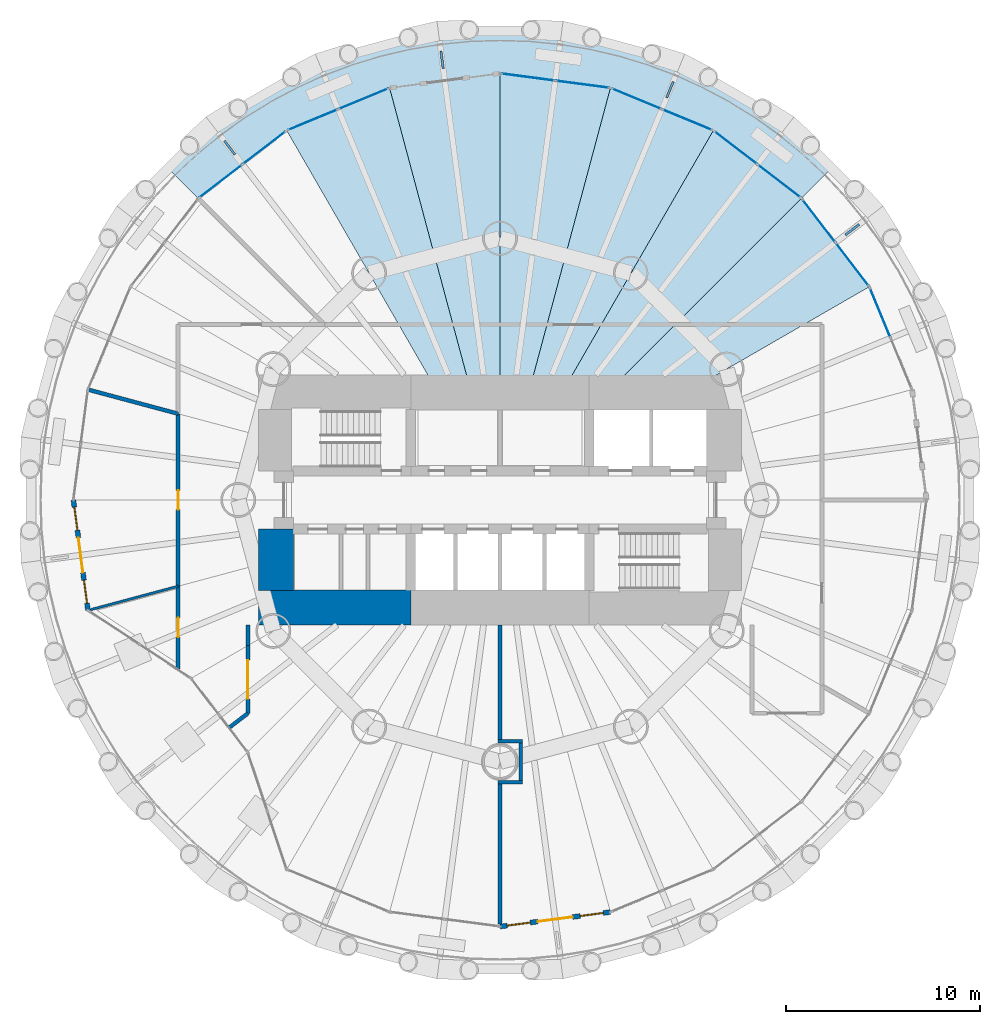
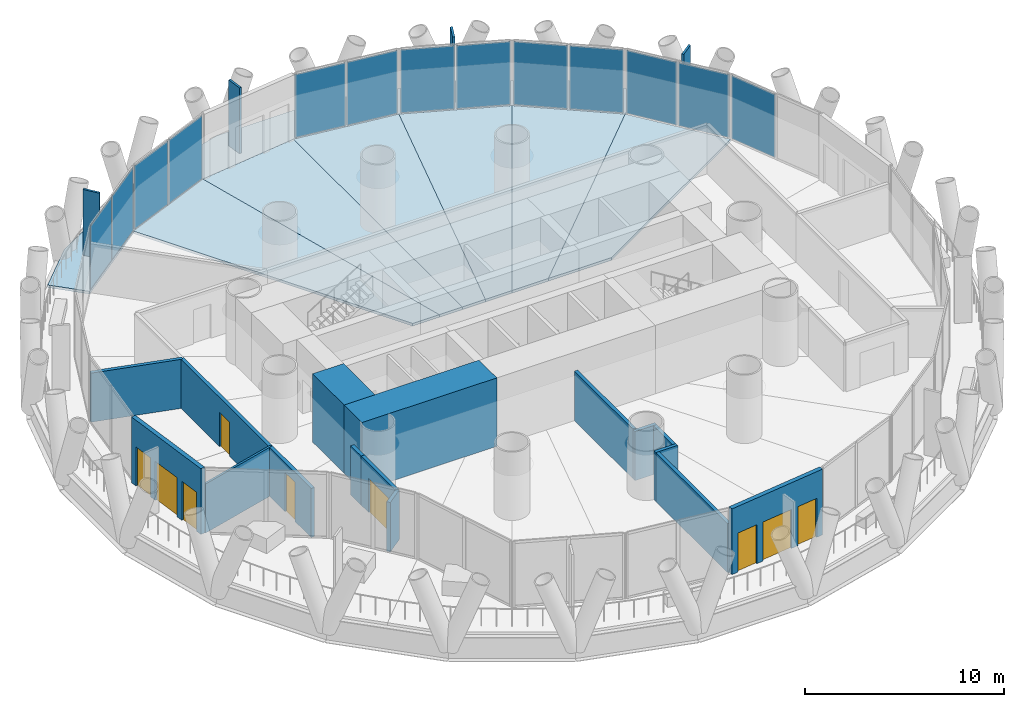
# One storey, part 8 of 14: 17 plates, 16 walls, 7 slabs, 5 doors, 4 windows, 9 openings, 7 elements without a shape of their own.
"""IFC4 building model written with IfcOpenShell, lengths in metres."""

from ifc_helpers import new_model, si_unit, direction, frame, frame_2d, origin, origin_2d, place, context, subcontext, project, spatial, polyline, rectangle, outline, extrude, material, layer, layer_set, type_object, element, fill, aggregate, save


model = new_model("IFC4")

# Units and contexts
model_context = context("Model", 3, precision=1e-05, world=origin(), true_north=direction((0.0, 1.0)))
body_context = subcontext(model_context, "Body", "Model", "MODEL_VIEW")
ifc_project = project(units=[si_unit("LENGTHUNIT", "METRE"), si_unit("AREAUNIT", "SQUARE_METRE"), si_unit("VOLUMEUNIT", "CUBIC_METRE"), si_unit("PLANEANGLEUNIT", "RADIAN"), si_unit("MASSUNIT", "GRAM", prefix="KILO")], contexts=[model_context])

# Site, building, storey
site_placement = place(None, origin())
site = spatial("IfcSite", under=ifc_project, at=site_placement, CompositionType="ELEMENT")
building_placement = place(site_placement, origin())
building = spatial("IfcBuilding", under=site, at=building_placement, Name="Qaws Media Tower", CompositionType="ELEMENT")
storey_placement = place(building_placement, frame((0.0, 0.0, 185.60009765625)))
storey = spatial("IfcBuildingStorey", under=building, at=storey_placement, Name="L42", CompositionType="ELEMENT", Elevation=185.60009765625)

# Slabs
ifc_material_1 = material(Name="Concrete C35/45", Category="concrete")
ifc_layer_1 = layer(ifc_material_1, 0.159912109375)
ifc_layer_set_1 = layer_set([ifc_layer_1], Name="Composite balcony slab 160")
slab_type_1 = type_object("IfcSlabType", Name="Composite balcony slab 160", PredefinedType="FLOOR", material=ifc_layer_set_1)
slab_1_placement = place(storey_placement, frame((0.0, 0.0, -0.16015625)))
element("IfcSlab", 1, at=slab_1_placement, inside=storey, type_object=slab_type_1, Name="S2 balcony slab L42 R04 to R10, movement joints on R04 and R10", PredefinedType="FLOOR", context=body_context, shape_type="SweptSolid", body=[
    extrude(outline(polyline([(45.146240234375, 69.35791015625), (50.66259765625, 72.542724609375), (56.815185546875, 74.19140625), (63.184814453125, 74.19140625), (69.33740234375, 72.542724609375), (74.853759765625, 69.35791015625), (77.105712890625, 67.105712890625), (75.556396484375, 65.556396484375), (71.0, 69.052490234375), (65.694091796875, 71.25048828125), (60.0, 72.0), (54.305908203125, 71.25048828125), (49.0, 69.052490234375), (44.443603515625, 65.556396484375), (42.894287109375, 67.105712890625), (45.146240234375, 69.35791015625)])), origin(), (0.0, 0.0, 1.0), 0.16015625),
])
ifc_material_2 = material(Name="Concrete C35/45", Category="concrete")
ifc_layer_2 = layer(ifc_material_2, 0.159912109375)
ifc_layer_set_2 = layer_set([ifc_layer_2], Name="Composite floor slab 160")
slab_type_2 = type_object("IfcSlabType", Name="Composite floor slab 160", PredefinedType="FLOOR", material=ifc_layer_set_2)
slab_2_placement = place(storey_placement, frame((0.0, 0.0, -0.16015625)))
element("IfcSlab", 2, at=slab_2_placement, inside=storey, type_object=slab_type_2, Name="S1 floor panel L42 on R03+7.5", PredefinedType="FLOOR", context=body_context, shape_type="SweptSolid", body=[
    extrude(outline(polyline([(79.052490234375, 61.0), (68.660400390625, 55.0), (65.0, 55.0), (75.556396484375, 65.556396484375), (79.052490234375, 61.0)])), origin(), (0.0, 0.0, 1.0), 0.16015625),
])
slab_3_placement = place(storey_placement, frame((0.0, 0.0, -0.16015625)))
element("IfcSlab", 3, at=slab_3_placement, inside=storey, type_object=slab_type_2, Name="S1 floor panel L42 on R04+7.5", PredefinedType="FLOOR", context=body_context, shape_type="SweptSolid", body=[
    extrude(outline(polyline([(75.556396484375, 65.556396484375), (65.0, 55.0), (62.88671875, 55.0), (71.0, 69.052490234375), (75.556396484375, 65.556396484375)])), origin(), (0.0, 0.0, 1.0), 0.16015625),
])
slab_4_placement = place(storey_placement, frame((0.0, 0.0, -0.16015625)))
element("IfcSlab", 4, at=slab_4_placement, inside=storey, type_object=slab_type_2, Name="S1 floor panel L42 on R05+7.5", PredefinedType="FLOOR", context=body_context, shape_type="SweptSolid", body=[
    extrude(outline(polyline([(71.0, 69.052490234375), (62.88671875, 55.0), (61.339599609375, 55.0), (65.694091796875, 71.25048828125), (71.0, 69.052490234375)])), origin(), (0.0, 0.0, 1.0), 0.16015625),
])
slab_5_placement = place(storey_placement, frame((0.0, 0.0, -0.16015625)))
element("IfcSlab", 5, at=slab_5_placement, inside=storey, type_object=slab_type_2, Name="S1 floor panel L42 on R06+7.5", PredefinedType="FLOOR", context=body_context, shape_type="SweptSolid", body=[
    extrude(outline(polyline([(65.694091796875, 71.25048828125), (61.339599609375, 55.0), (60.0, 55.0), (60.0, 72.0), (65.694091796875, 71.25048828125)])), origin(), (0.0, 0.0, 1.0), 0.16015625),
])
slab_6_placement = place(storey_placement, frame((0.0, 0.0, -0.16015625)))
element("IfcSlab", 6, at=slab_6_placement, inside=storey, type_object=slab_type_2, Name="S1 floor panel L42 on R07+7.5", PredefinedType="FLOOR", context=body_context, shape_type="SweptSolid", body=[
    extrude(outline(polyline([(54.305908203125, 71.25048828125), (60.0, 72.0), (60.0, 55.0), (58.660400390625, 55.0), (54.305908203125, 71.25048828125)])), origin(), (0.0, 0.0, 1.0), 0.16015625),
])
slab_7_placement = place(storey_placement, frame((0.0, 0.0, -0.16015625)))
element("IfcSlab", 7, at=slab_7_placement, inside=storey, type_object=slab_type_2, Name="S1 floor panel L42 on R08+7.5", PredefinedType="FLOOR", context=body_context, shape_type="SweptSolid", body=[
    extrude(outline(polyline([(49.0, 69.052490234375), (54.305908203125, 71.25048828125), (58.660400390625, 55.0), (57.11328125, 55.0), (49.0, 69.052490234375)])), origin(), (0.0, 0.0, 1.0), 0.16015625),
])

# Curtain wall, plate
ifc_material_3 = material(Name="Aluminium and clear glass", Category="aluminium")
curtain_wall_type = type_object("IfcCurtainWallType", Name="Unitised curtain wall CW-B", PredefinedType="NOTDEFINED", material=ifc_material_3)
curtain_wall_1_placement = place(storey_placement, origin())
curtain_wall_1 = element("IfcCurtainWall", 8, at=curtain_wall_1_placement, inside=storey, type_object=curtain_wall_type, Name="CWB curtain wall L42-02", PredefinedType="NOTDEFINED")
ifc_material_4 = material(Name="Clear laminated double glazing", Category="glass")
ifc_layer_3 = layer(ifc_material_4, 0.031982421875)
ifc_layer_set_3 = layer_set([ifc_layer_3], Name="Curtain wall glass unit 32")
plate_type_1 = type_object("IfcPlateType", Name="Curtain wall glass unit 32", PredefinedType="CURTAIN_PANEL", material=ifc_layer_set_3)
plate_1_placement = place(storey_placement, frame((79.609619140625, 59.655029296875, 0.080078125), z_axis=(0.0, 0.0, 1.0), x_axis=(-0.38268338899, 0.923879550478, 0.0)))
plate_1 = element("IfcPlate", 9, at=plate_1_placement, type_object=plate_type_1, Name="CWB panel 2.1", PredefinedType="CURTAIN_PANEL", context=body_context, shape_type="SweptSolid", body=[
    extrude(rectangle(XDim=2.75146484375, YDim=0.031982421875, at=origin_2d()), origin(), (0.0, 0.0, 1.0), 3.8798828125),
])
aggregate(curtain_wall_1, [plate_1])

# Curtain wall, plates
curtain_wall_2_placement = place(storey_placement, origin())
curtain_wall_2 = element("IfcCurtainWall", 10, at=curtain_wall_2_placement, inside=storey, type_object=curtain_wall_type, Name="CWB curtain wall L42-03", PredefinedType="NOTDEFINED")
plate_2_placement = place(storey_placement, frame((78.166259765625, 62.155029296875, 0.080078125), z_axis=(0.0, 0.0, 1.0), x_axis=(-0.608761477846, 0.793353302817, 0.0)))
plate_2 = element("IfcPlate", 11, at=plate_2_placement, type_object=plate_type_1, Name="CWB panel 1.1", PredefinedType="CURTAIN_PANEL", context=body_context, shape_type="SweptSolid", body=[
    extrude(rectangle(XDim=2.75146484375, YDim=0.031982421875, at=origin_2d()), origin(), (0.0, 0.0, 1.0), 3.8798828125),
])
plate_3_placement = place(storey_placement, frame((76.442626953125, 64.4013671875, 0.080078125), z_axis=(0.0, 0.0, 1.0), x_axis=(-0.608761477846, 0.793353302817, 0.0)))
plate_3 = element("IfcPlate", 12, at=plate_3_placement, type_object=plate_type_1, Name="CWB panel 2.1", PredefinedType="CURTAIN_PANEL", context=body_context, shape_type="SweptSolid", body=[
    extrude(rectangle(XDim=2.75146484375, YDim=0.031982421875, at=origin_2d()), origin(), (0.0, 0.0, 1.0), 3.8798828125),
])
aggregate(curtain_wall_2, [plate_2, plate_3])

curtain_wall_3_placement = place(storey_placement, origin())
curtain_wall_3 = element("IfcCurtainWall", 13, at=curtain_wall_3_placement, inside=storey, type_object=curtain_wall_type, Name="CWB curtain wall L42-04", PredefinedType="NOTDEFINED")
plate_4_placement = place(storey_placement, frame((74.4013671875, 66.442626953125, 0.080078125), z_axis=(0.0, 0.0, 1.0), x_axis=(-0.793353302817, 0.608761477846, 0.0)))
plate_4 = element("IfcPlate", 14, at=plate_4_placement, type_object=plate_type_1, Name="CWB panel 1.1", PredefinedType="CURTAIN_PANEL", context=body_context, shape_type="SweptSolid", body=[
    extrude(rectangle(XDim=2.75146484375, YDim=0.031982421875, at=origin_2d()), origin(), (0.0, 0.0, 1.0), 3.8798828125),
])
plate_5_placement = place(storey_placement, frame((72.155029296875, 68.166259765625, 0.080078125), z_axis=(0.0, 0.0, 1.0), x_axis=(-0.793353302817, 0.608761477846, 0.0)))
plate_5 = element("IfcPlate", 15, at=plate_5_placement, type_object=plate_type_1, Name="CWB panel 2.1", PredefinedType="CURTAIN_PANEL", context=body_context, shape_type="SweptSolid", body=[
    extrude(rectangle(XDim=2.75146484375, YDim=0.031982421875, at=origin_2d()), origin(), (0.0, 0.0, 1.0), 3.8798828125),
])
aggregate(curtain_wall_3, [plate_4, plate_5])

curtain_wall_4_placement = place(storey_placement, origin())
curtain_wall_4 = element("IfcCurtainWall", 16, at=curtain_wall_4_placement, inside=storey, type_object=curtain_wall_type, Name="CWB curtain wall L42-05", PredefinedType="NOTDEFINED")
plate_6_placement = place(storey_placement, frame((69.655029296875, 69.609619140625, 0.080078125), z_axis=(0.0, 0.0, 1.0), x_axis=(-0.923879550478, 0.38268338899, 0.0)))
plate_6 = element("IfcPlate", 17, at=plate_6_placement, type_object=plate_type_1, Name="CWB panel 1.1", PredefinedType="CURTAIN_PANEL", context=body_context, shape_type="SweptSolid", body=[
    extrude(rectangle(XDim=2.75146484375, YDim=0.031982421875, at=origin_2d()), origin(), (0.0, 0.0, 1.0), 3.8798828125),
])
plate_7_placement = place(storey_placement, frame((67.0390625, 70.693359375, 0.080078125), z_axis=(0.0, 0.0, 1.0), x_axis=(-0.923879550478, 0.38268338899, 0.0)))
plate_7 = element("IfcPlate", 18, at=plate_7_placement, type_object=plate_type_1, Name="CWB panel 2.1", PredefinedType="CURTAIN_PANEL", context=body_context, shape_type="SweptSolid", body=[
    extrude(rectangle(XDim=2.75146484375, YDim=0.031982421875, at=origin_2d()), origin(), (0.0, 0.0, 1.0), 3.8798828125),
])
aggregate(curtain_wall_4, [plate_6, plate_7])

curtain_wall_5_placement = place(storey_placement, origin())
curtain_wall_5 = element("IfcCurtainWall", 19, at=curtain_wall_5_placement, inside=storey, type_object=curtain_wall_type, Name="CWB curtain wall L42-06", PredefinedType="NOTDEFINED")
plate_8_placement = place(storey_placement, frame((64.250732421875, 71.4404296875, 0.080078125), z_axis=(0.0, 0.0, 1.0), x_axis=(-0.991444857378, 0.130526222571, 0.0)))
plate_8 = element("IfcPlate", 20, at=plate_8_placement, type_object=plate_type_1, Name="CWB panel 1.1", PredefinedType="CURTAIN_PANEL", context=body_context, shape_type="SweptSolid", body=[
    extrude(rectangle(XDim=2.75146484375, YDim=0.031982421875, at=origin_2d()), origin(), (0.0, 0.0, 1.0), 3.8798828125),
])
plate_9_placement = place(storey_placement, frame((61.443359375, 71.81005859375, 0.080078125), z_axis=(0.0, 0.0, 1.0), x_axis=(-0.991444857378, 0.130526222571, 0.0)))
plate_9 = element("IfcPlate", 21, at=plate_9_placement, type_object=plate_type_1, Name="CWB panel 2.1", PredefinedType="CURTAIN_PANEL", context=body_context, shape_type="SweptSolid", body=[
    extrude(rectangle(XDim=2.75146484375, YDim=0.031982421875, at=origin_2d()), origin(), (0.0, 0.0, 1.0), 3.8798828125),
])
aggregate(curtain_wall_5, [plate_8, plate_9])

curtain_wall_6_placement = place(storey_placement, origin())
curtain_wall_6 = element("IfcCurtainWall", 22, at=curtain_wall_6_placement, inside=storey, type_object=curtain_wall_type, Name="CWB curtain wall L42-08", PredefinedType="NOTDEFINED")
plate_10_placement = place(storey_placement, frame((52.9609375, 70.693359375, 0.080078125), z_axis=(0.0, 0.0, 1.0), x_axis=(-0.923879550478, -0.38268338899, 0.0)))
plate_10 = element("IfcPlate", 23, at=plate_10_placement, type_object=plate_type_1, Name="CWB panel 1.1", PredefinedType="CURTAIN_PANEL", context=body_context, shape_type="SweptSolid", body=[
    extrude(rectangle(XDim=2.75146484375, YDim=0.031982421875, at=origin_2d()), origin(), (0.0, 0.0, 1.0), 3.8798828125),
])
plate_11_placement = place(storey_placement, frame((50.344970703125, 69.609619140625, 0.080078125), z_axis=(0.0, 0.0, 1.0), x_axis=(-0.923879550478, -0.38268338899, 0.0)))
plate_11 = element("IfcPlate", 24, at=plate_11_placement, type_object=plate_type_1, Name="CWB panel 2.1", PredefinedType="CURTAIN_PANEL", context=body_context, shape_type="SweptSolid", body=[
    extrude(rectangle(XDim=2.75146484375, YDim=0.031982421875, at=origin_2d()), origin(), (0.0, 0.0, 1.0), 3.8798828125),
])
aggregate(curtain_wall_6, [plate_10, plate_11])

curtain_wall_7_placement = place(storey_placement, origin())
curtain_wall_7 = element("IfcCurtainWall", 25, at=curtain_wall_7_placement, inside=storey, type_object=curtain_wall_type, Name="CWB curtain wall L42-09", PredefinedType="NOTDEFINED")
plate_12_placement = place(storey_placement, frame((47.844970703125, 68.166259765625, 0.080078125), z_axis=(0.0, 0.0, 1.0), x_axis=(-0.793353302817, -0.608761477846, 0.0)))
plate_12 = element("IfcPlate", 26, at=plate_12_placement, type_object=plate_type_1, Name="CWB panel 1.1", PredefinedType="CURTAIN_PANEL", context=body_context, shape_type="SweptSolid", body=[
    extrude(rectangle(XDim=2.75146484375, YDim=0.031982421875, at=origin_2d()), origin(), (0.0, 0.0, 1.0), 3.8798828125),
])
plate_13_placement = place(storey_placement, frame((45.5986328125, 66.442626953125, 0.080078125), z_axis=(0.0, 0.0, 1.0), x_axis=(-0.793353302817, -0.608761477846, 0.0)))
plate_13 = element("IfcPlate", 27, at=plate_13_placement, type_object=plate_type_1, Name="CWB panel 2.1", PredefinedType="CURTAIN_PANEL", context=body_context, shape_type="SweptSolid", body=[
    extrude(rectangle(XDim=2.75146484375, YDim=0.031982421875, at=origin_2d()), origin(), (0.0, 0.0, 1.0), 3.8798828125),
])
aggregate(curtain_wall_7, [plate_12, plate_13])

# Plates
ifc_material_5 = material(Name="Precast concrete screen fin", Category="concrete")
ifc_layer_4 = layer(ifc_material_5, 0.1201171875)
ifc_layer_set_4 = layer_set([ifc_layer_4], Name="Screen fin 120x900")
plate_type_2 = type_object("IfcPlateType", Name="Screen fin 120x900", PredefinedType="USERDEFINED", material=ifc_layer_set_4)
for number, where, z_axis, x_axis, name in (
    (28, (78.167724609375, 63.940673828125, 0.0), (0.0, 0.0, 1.0), (0.793353340291, 0.608761429009, 0.0), "SCR1 screen fin L42-02"),
    (29, (68.763427734375, 71.15673828125, 0.0), (0.0, 0.0, 1.0), (0.382683432365, 0.923879532511, 0.0), "SCR1 screen fin L42-03"),
    (30, (57.010986328125, 72.7041015625, 0.0), (0.0, 0.0, 1.0), (-0.13052619222, 0.991444861374, 0.0), "SCR1 screen fin L42-04"),
    (31, (46.059326171875, 68.167724609375, 0.0), (0.0, 0.0, 1.0), (-0.608761429009, 0.793353340291, 0.0), "SCR1 screen fin L42-05"),
):
    element("IfcPlate", number, at=place(storey_placement, frame(where, z_axis=z_axis, x_axis=x_axis)), inside=storey, type_object=plate_type_2, Name=name, ObjectType="SCREEN", PredefinedType="USERDEFINED", context=body_context, shape_type="SweptSolid", body=[
        extrude(rectangle(XDim=0.89990234375, YDim=0.1201171875, at=origin_2d()), origin(), (0.0, 0.0, 1.0), 4.0400390625),
    ])

# Wall, openings, door, windows
ifc_material_6 = material(Name="Precast concrete, exposed finish", Category="concrete")
ifc_layer_5 = layer(ifc_material_6, 0.25)
ifc_layer_set_5 = layer_set([ifc_layer_5], Name="Balcony door wall 250")
wall_type_1 = type_object("IfcWallType", Name="Balcony door wall 250", PredefinedType="SOLIDWALL", material=ifc_layer_set_5)
wall_1_placement = place(storey_placement, frame((38.0, 50.0, 0.0), z_axis=(0.0, 0.0, 1.0), x_axis=(0.130503995834, -0.991447783331, 0.0)))
wall_1 = element("IfcWall", 32, at=wall_1_placement, inside=storey, type_object=wall_type_1, Name="W223 EW1 balcony door wall L42-13", PredefinedType="SOLIDWALL", context=body_context, shape_type="SweptSolid", body=[
    extrude(rectangle(XDim=5.7431640625, YDim=0.25, at=frame_2d((2.87158203125, 0.0))), origin(), (0.0, 0.0, 1.0), 4.039794921875),
])
opening_1_placement = place(wall_1_placement, frame((1.9716796875, 0.0, 0.0)))
opening_1 = element("IfcOpeningElement", 33, at=opening_1_placement, cuts=wall_1, Name="Opening D7", PredefinedType="OPENING", context=body_context, shape_type="SweptSolid", body=[
    extrude(rectangle(XDim=1.800048828125, YDim=2.39990234375, at=frame_2d((0.89990234375, 1.199951171875))), frame((0.0, 0.135009765625, 0.0), z_axis=(0.0, -1.0, 0.0), x_axis=(1.0, 0.0, 0.0)), (0.0, 0.0, 1.0), 0.27001953125),
])
opening_2_placement = place(wall_1_placement, frame((0.37158203125, 0.0, 0.0)))
opening_2 = element("IfcOpeningElement", 34, at=opening_2_placement, cuts=wall_1, Name="Opening W1", PredefinedType="OPENING", context=body_context, shape_type="SweptSolid", body=[
    extrude(rectangle(XDim=1.199951171875, YDim=2.39990234375, at=frame_2d((0.60009765625, 1.199951171875))), frame((0.0, 0.135009765625, 0.0), z_axis=(0.0, -1.0, 0.0), x_axis=(1.0, 0.0, 0.0)), (0.0, 0.0, 1.0), 0.27001953125),
])
opening_3_placement = place(wall_1_placement, frame((4.171630859375, 0.0, 0.0)))
opening_3 = element("IfcOpeningElement", 35, at=opening_3_placement, cuts=wall_1, Name="Opening W1", PredefinedType="OPENING", context=body_context, shape_type="SweptSolid", body=[
    extrude(rectangle(XDim=1.199951171875, YDim=2.39990234375, at=frame_2d((0.60009765625, 1.199951171875))), frame((0.0, 0.135009765625, 0.0), z_axis=(0.0, -1.0, 0.0), x_axis=(1.0, 0.0, 0.0)), (0.0, 0.0, 1.0), 0.27001953125),
])
ifc_material_7 = material(Name="Aluminium and clear glass", Category="aluminium")
door_type_1 = type_object("IfcDoorType", Name="Balcony door pair 1800", OperationType="DOUBLE_DOOR_SLIDING", PredefinedType="DOOR", material=ifc_material_7)
door_1_placement = place(opening_1_placement, origin())
door_1 = element("IfcDoor", 36, at=door_1_placement, inside=storey, type_object=door_type_1, Name="D7 balcony door L42-13 in wall W223", OperationType="DOUBLE_DOOR_SLIDING", OverallHeight=2.39990234375, OverallWidth=1.800048828125, PredefinedType="DOOR", context=body_context, shape_type="SweptSolid", body=[
    extrude(rectangle(XDim=1.800048828125, YDim=2.39990234375, at=frame_2d((0.89990234375, 1.199951171875))), frame((0.0, 0.02490234375, 0.0), z_axis=(0.0, -1.0, 0.0), x_axis=(1.0, 0.0, 0.0)), (0.0, 0.0, 1.0), 0.050048828125),
])
fill(opening_1, door_1)
ifc_material_8 = material(Name="Aluminium and clear glass", Category="aluminium")
window_type = type_object("IfcWindowType", Name="Balcony side window 1200", PartitioningType="SINGLE_PANEL", PredefinedType="WINDOW", material=ifc_material_8)
window_1_placement = place(opening_2_placement, origin())
window_1 = element("IfcWindow", 37, at=window_1_placement, inside=storey, type_object=window_type, Name="W1 balcony side light L42-13L", OverallHeight=2.39990234375, OverallWidth=1.199951171875, PartitioningType="SINGLE_PANEL", PredefinedType="WINDOW", context=body_context, shape_type="SweptSolid", body=[
    extrude(rectangle(XDim=1.199951171875, YDim=2.39990234375, at=frame_2d((0.60009765625, 1.199951171875))), frame((0.0, 0.030029296875, 0.0), z_axis=(0.0, -1.0, 0.0), x_axis=(1.0, 0.0, 0.0)), (0.0, 0.0, 1.0), 0.06005859375),
])
fill(opening_2, window_1)
window_2_placement = place(opening_3_placement, origin())
window_2 = element("IfcWindow", 38, at=window_2_placement, inside=storey, type_object=window_type, Name="W1 balcony side light L42-13R", OverallHeight=2.39990234375, OverallWidth=1.199951171875, PartitioningType="SINGLE_PANEL", PredefinedType="WINDOW", context=body_context, shape_type="SweptSolid", body=[
    extrude(rectangle(XDim=1.199951171875, YDim=2.39990234375, at=frame_2d((0.60009765625, 1.199951171875))), frame((0.0, 0.030029296875, 0.0), z_axis=(0.0, -1.0, 0.0), x_axis=(1.0, 0.0, 0.0)), (0.0, 0.0, 1.0), 0.06005859375),
])
fill(opening_3, window_2)

wall_2_placement = place(storey_placement, frame((60.0, 28.0, 0.0), z_axis=(0.0, 0.0, 1.0), x_axis=(0.991447783331, 0.130503995834, 0.0)))
wall_2 = element("IfcWall", 39, at=wall_2_placement, inside=storey, type_object=wall_type_1, Name="W224 EW1 balcony door wall L42-19", PredefinedType="SOLIDWALL", context=body_context, shape_type="SweptSolid", body=[
    extrude(rectangle(XDim=5.7431640625, YDim=0.25, at=frame_2d((2.87158203125, 0.0))), origin(), (0.0, 0.0, 1.0), 4.039794921875),
])
opening_4_placement = place(wall_2_placement, frame((1.9716796875, 0.0, 0.0)))
opening_4 = element("IfcOpeningElement", 40, at=opening_4_placement, cuts=wall_2, Name="Opening D7", PredefinedType="OPENING", context=body_context, shape_type="SweptSolid", body=[
    extrude(rectangle(XDim=1.800048828125, YDim=2.39990234375, at=frame_2d((0.89990234375, 1.199951171875))), frame((0.0, 0.135009765625, 0.0), z_axis=(0.0, -1.0, 0.0), x_axis=(1.0, 0.0, 0.0)), (0.0, 0.0, 1.0), 0.27001953125),
])
opening_5_placement = place(wall_2_placement, frame((0.37158203125, 0.0, 0.0)))
opening_5 = element("IfcOpeningElement", 41, at=opening_5_placement, cuts=wall_2, Name="Opening W1", PredefinedType="OPENING", context=body_context, shape_type="SweptSolid", body=[
    extrude(rectangle(XDim=1.199951171875, YDim=2.39990234375, at=frame_2d((0.60009765625, 1.199951171875))), frame((0.0, 0.135009765625, 0.0), z_axis=(0.0, -1.0, 0.0), x_axis=(1.0, 0.0, 0.0)), (0.0, 0.0, 1.0), 0.27001953125),
])
opening_6_placement = place(wall_2_placement, frame((4.171630859375, 0.0, 0.0)))
opening_6 = element("IfcOpeningElement", 42, at=opening_6_placement, cuts=wall_2, Name="Opening W1", PredefinedType="OPENING", context=body_context, shape_type="SweptSolid", body=[
    extrude(rectangle(XDim=1.199951171875, YDim=2.39990234375, at=frame_2d((0.60009765625, 1.199951171875))), frame((0.0, 0.135009765625, 0.0), z_axis=(0.0, -1.0, 0.0), x_axis=(1.0, 0.0, 0.0)), (0.0, 0.0, 1.0), 0.27001953125),
])
door_2_placement = place(opening_4_placement, origin())
door_2 = element("IfcDoor", 43, at=door_2_placement, inside=storey, type_object=door_type_1, Name="D7 balcony door L42-19 in wall W224", OperationType="DOUBLE_DOOR_SLIDING", OverallHeight=2.39990234375, OverallWidth=1.800048828125, PredefinedType="DOOR", context=body_context, shape_type="SweptSolid", body=[
    extrude(rectangle(XDim=1.800048828125, YDim=2.39990234375, at=frame_2d((0.89990234375, 1.199951171875))), frame((0.0, 0.02490234375, 0.0), z_axis=(0.0, -1.0, 0.0), x_axis=(1.0, 0.0, 0.0)), (0.0, 0.0, 1.0), 0.050048828125),
])
fill(opening_4, door_2)
window_3_placement = place(opening_5_placement, origin())
window_3 = element("IfcWindow", 44, at=window_3_placement, inside=storey, type_object=window_type, Name="W1 balcony side light L42-19L", OverallHeight=2.39990234375, OverallWidth=1.199951171875, PartitioningType="SINGLE_PANEL", PredefinedType="WINDOW", context=body_context, shape_type="SweptSolid", body=[
    extrude(rectangle(XDim=1.199951171875, YDim=2.39990234375, at=frame_2d((0.60009765625, 1.199951171875))), frame((0.0, 0.030029296875, 0.0), z_axis=(0.0, -1.0, 0.0), x_axis=(1.0, 0.0, 0.0)), (0.0, 0.0, 1.0), 0.06005859375),
])
fill(opening_5, window_3)
window_4_placement = place(opening_6_placement, origin())
window_4 = element("IfcWindow", 45, at=window_4_placement, inside=storey, type_object=window_type, Name="W1 balcony side light L42-19R", OverallHeight=2.39990234375, OverallWidth=1.199951171875, PartitioningType="SINGLE_PANEL", PredefinedType="WINDOW", context=body_context, shape_type="SweptSolid", body=[
    extrude(rectangle(XDim=1.199951171875, YDim=2.39990234375, at=frame_2d((0.60009765625, 1.199951171875))), frame((0.0, 0.030029296875, 0.0), z_axis=(0.0, -1.0, 0.0), x_axis=(1.0, 0.0, 0.0)), (0.0, 0.0, 1.0), 0.06005859375),
])
fill(opening_6, window_4)

# Walls
ifc_material_9 = material(Name="Concrete C60/75", Category="concrete")
ifc_layer_6 = layer(ifc_material_9, 1.800048828125)
ifc_layer_set_6 = layer_set([ifc_layer_6], Name="Core wall 1800")
wall_type_2 = type_object("IfcWallType", Name="Core wall 1800", PredefinedType="SHEAR", material=ifc_layer_set_6)
wall_3_placement = place(storey_placement, frame((47.550048828125, 44.449951171875, 0.0), z_axis=(0.0, 0.0, 1.0), x_axis=(1.0, 0.0, 0.0)))
element("IfcWall", 46, at=wall_3_placement, inside=storey, type_object=wall_type_2, Name="W416 SW11 core wall SW L42", PredefinedType="SHEAR", context=body_context, shape_type="SweptSolid", body=[
    extrude(rectangle(XDim=7.849853515625, YDim=1.800048828125, at=frame_2d((3.9248046875, 0.0))), origin(), (0.0, 0.0, 1.0), 4.199951171875),
])
wall_4_placement = place(storey_placement, frame((48.449951171875, 45.330078125, 0.0), z_axis=(0.0, 0.0, 1.0), x_axis=(0.0, 1.0, 0.0)))
element("IfcWall", 47, at=wall_4_placement, inside=storey, type_object=wall_type_2, Name="W418 SW11 core wall WS L42", PredefinedType="SHEAR", context=body_context, shape_type="SweptSolid", body=[
    extrude(rectangle(XDim=3.169921875, YDim=1.800048828125, at=frame_2d((1.5849609375, 0.0))), origin(), (0.0, 0.0, 1.0), 4.199951171875),
])
ifc_material_10 = material(Name="Two layers gypsum board each side on 75 studs, insulated", Category="gypsum")
ifc_layer_7 = layer(ifc_material_10, 0.125)
ifc_layer_set_7 = layer_set([ifc_layer_7], Name="Meeting room partition 125 Rw 48")
wall_type_3 = type_object("IfcWallType", Name="Meeting room partition 125 Rw 48", PredefinedType="PARTITIONING", material=ifc_layer_set_7)
wall_5_placement = place(storey_placement, frame((43.405517578125, 45.553466796875, 0.0), z_axis=(0.0, 0.0, 1.0), x_axis=(-0.965930354879, -0.258802143582, 0.0)))
element("IfcWall", 48, at=wall_5_placement, inside=storey, type_object=wall_type_3, Name="W590 IW5 partition L42", PredefinedType="PARTITIONING", context=body_context, shape_type="SweptSolid", body=[
    extrude(rectangle(XDim=4.679931640625, YDim=0.125, at=frame_2d((2.33984375, 0.0))), origin(), (0.0, 0.0, 1.0), 3.011962890625),
])
ifc_material_11 = material(Name="Gypsum board on galvanised metal studs, acoustic double stud, deflection head", Category="gypsum")
ifc_layer_8 = layer(ifc_material_11, 0.199951171875)
ifc_layer_set_8 = layer_set([ifc_layer_8], Name="Room partition 200")
wall_type_4 = type_object("IfcWallType", Name="Room partition 200", PredefinedType="PARTITIONING", material=ifc_layer_set_8)
wall_6_placement = place(storey_placement, frame((47.0, 43.550048828125, 0.0), z_axis=(0.0, 0.0, 1.0), x_axis=(0.0, -1.0, 0.0)))
element("IfcWall", 49, at=wall_6_placement, inside=storey, type_object=wall_type_4, Name="W1367 IW3 partition L42", PredefinedType="PARTITIONING", context=body_context, shape_type="SweptSolid", body=[
    extrude(rectangle(XDim=1.0556640625, YDim=0.199951171875, at=frame_2d((0.52783203125, 0.0))), origin(), (0.0, 0.0, 1.0), 3.011962890625),
])

# Wall, opening, door
wall_7_placement = place(storey_placement, frame((47.0, 42.494384765625, 0.0), z_axis=(0.0, 0.0, 1.0), x_axis=(0.0, -1.0, 0.0)))
wall_7 = element("IfcWall", 50, at=wall_7_placement, inside=storey, type_object=wall_type_4, Name="W1366 IW3 partition L42", PredefinedType="PARTITIONING", context=body_context, shape_type="SweptSolid", body=[
    extrude(rectangle(XDim=3.494384765625, YDim=0.199951171875, at=frame_2d((1.7470703125, 0.0))), origin(), (0.0, 0.0, 1.0), 3.011962890625),
])
opening_7_placement = place(wall_7_placement, frame((0.747314453125, 0.0, 0.0)))
opening_7 = element("IfcOpeningElement", 51, at=opening_7_placement, cuts=wall_7, Name="Opening D6", PredefinedType="OPENING", context=body_context, shape_type="SweptSolid", body=[
    extrude(rectangle(XDim=2.0, YDim=2.10009765625, at=frame_2d((1.0, 1.050048828125))), frame((0.0, 0.10986328125, 0.0), z_axis=(0.0, -1.0, 0.0), x_axis=(1.0, 0.0, 0.0)), (0.0, 0.0, 1.0), 0.219970703125),
])
ifc_material_12 = material(Name="Steel, acoustic, fire rated", Category="steel")
door_type_2 = type_object("IfcDoorType", Name="Room door pair 2000", OperationType="DOUBLE_DOOR_DOUBLE_SWING", PredefinedType="DOOR", material=ifc_material_12)
door_3_placement = place(opening_7_placement, origin())
door_3 = element("IfcDoor", 52, at=door_3_placement, inside=storey, type_object=door_type_2, Name="D6 Marketing office door L42 in wall W1366", OperationType="DOUBLE_DOOR_DOUBLE_SWING", OverallHeight=2.10009765625, OverallWidth=2.0, PredefinedType="DOOR", context=body_context, shape_type="SweptSolid", body=[
    extrude(rectangle(XDim=2.0, YDim=2.10009765625, at=frame_2d((1.0, 1.050048828125))), frame((0.0, 0.02490234375, 0.0), z_axis=(0.0, -1.0, 0.0), x_axis=(1.0, 0.0, 0.0)), (0.0, 0.0, 1.0), 0.050048828125),
])
fill(opening_7, door_3)

wall_8_placement = place(storey_placement, frame((43.39990234375, 41.29248046875, 0.0), z_axis=(0.0, 0.0, 1.0), x_axis=(0.0, 1.0, 0.0)))
wall_8 = element("IfcWall", 53, at=wall_8_placement, inside=storey, type_object=wall_type_4, Name="W1427 IW3 partition L42", PredefinedType="PARTITIONING", context=body_context, shape_type="SweptSolid", body=[
    extrude(rectangle(XDim=4.259521484375, YDim=0.199951171875, at=frame_2d((2.1298828125, 0.0))), origin(), (0.0, 0.0, 1.0), 3.011962890625),
])
opening_8_placement = place(wall_8_placement, frame((1.629638671875, 0.0, 0.0)))
opening_8 = element("IfcOpeningElement", 54, at=opening_8_placement, cuts=wall_8, Name="Opening D13", PredefinedType="OPENING", context=body_context, shape_type="SweptSolid", body=[
    extrude(rectangle(XDim=1.0, YDim=2.39990234375, at=frame_2d((0.5, 1.199951171875))), frame((0.0, 0.10986328125, 0.0), z_axis=(0.0, -1.0, 0.0), x_axis=(1.0, 0.0, 0.0)), (0.0, 0.0, 1.0), 0.219970703125),
])
ifc_material_13 = material(Name="Frameless toughened glass, acoustic seals", Category="glass")
door_type_3 = type_object("IfcDoorType", Name="Glazed meeting room door 1000x2400", OperationType="SINGLE_SWING_LEFT", PredefinedType="DOOR", material=ifc_material_13)
door_4_placement = place(opening_8_placement, origin())
door_4 = element("IfcDoor", 55, at=door_4_placement, inside=storey, type_object=door_type_3, Name="D13 Meeting room door L42 in wall W1427", OperationType="SINGLE_SWING_LEFT", OverallHeight=2.39990234375, OverallWidth=1.0, PredefinedType="DOOR", context=body_context, shape_type="SweptSolid", body=[
    extrude(rectangle(XDim=1.0, YDim=2.39990234375, at=frame_2d((0.5, 1.199951171875))), frame((0.0, 0.02490234375, 0.0), z_axis=(0.0, -1.0, 0.0), x_axis=(1.0, 0.0, 0.0)), (0.0, 0.0, 1.0), 0.050048828125),
])
fill(opening_8, door_4)

wall_9_placement = place(storey_placement, frame((43.39990234375, 45.552001953125, 0.0), z_axis=(0.0, 0.0, 1.0), x_axis=(0.0, 1.0, 0.0)))
wall_9 = element("IfcWall", 56, at=wall_9_placement, inside=storey, type_object=wall_type_4, Name="W1428 IW3 partition L42", PredefinedType="PARTITIONING", context=body_context, shape_type="SweptSolid", body=[
    extrude(rectangle(XDim=8.89599609375, YDim=0.199951171875, at=frame_2d((4.447998046875, 0.0))), origin(), (0.0, 0.0, 1.0), 3.011962890625),
])
opening_9_placement = place(wall_9_placement, frame((3.947998046875, 0.0, 0.0)))
opening_9 = element("IfcOpeningElement", 57, at=opening_9_placement, cuts=wall_9, Name="Opening D5", PredefinedType="OPENING", context=body_context, shape_type="SweptSolid", body=[
    extrude(rectangle(XDim=1.0, YDim=2.10009765625, at=frame_2d((0.5, 1.050048828125))), frame((0.0, 0.10986328125, 0.0), z_axis=(0.0, -1.0, 0.0), x_axis=(1.0, 0.0, 0.0)), (0.0, 0.0, 1.0), 0.219970703125),
])
ifc_material_14 = material(Name="Timber veneered, acoustic seal", Category="wood")
door_type_4 = type_object("IfcDoorType", Name="Room door 1000", OperationType="SINGLE_SWING_LEFT", PredefinedType="DOOR", material=ifc_material_14)
door_5_placement = place(opening_9_placement, origin())
door_5 = element("IfcDoor", 58, at=door_5_placement, inside=storey, type_object=door_type_4, Name="D5 Photo studio door L42 in wall W1428", OperationType="SINGLE_SWING_LEFT", OverallHeight=2.10009765625, OverallWidth=1.0, PredefinedType="DOOR", context=body_context, shape_type="SweptSolid", body=[
    extrude(rectangle(XDim=1.0, YDim=2.10009765625, at=frame_2d((0.5, 1.050048828125))), frame((0.0, 0.02490234375, 0.0), z_axis=(0.0, -1.0, 0.0), x_axis=(1.0, 0.0, 0.0)), (0.0, 0.0, 1.0), 0.050048828125),
])
fill(opening_9, door_5)

# Walls
wall_10_placement = place(storey_placement, frame((43.405517578125, 54.446533203125, 0.0), z_axis=(0.0, 0.0, 1.0), x_axis=(-0.965931637459, 0.258797356546, 0.0)))
element("IfcWall", 59, at=wall_10_placement, inside=storey, type_object=wall_type_4, Name="W1429 IW3 partition L42", PredefinedType="PARTITIONING", context=body_context, shape_type="SweptSolid", body=[
    extrude(rectangle(XDim=4.780029296875, YDim=0.199951171875, at=frame_2d((2.39013671875, 0.0))), origin(), (0.0, 0.0, 1.0), 3.011962890625),
])
for number, where, z_axis, x_axis, name in (
    (60, (59.89990234375, 37.56005859375, 0.0), (0.0, 0.0, 1.0), (1.0, 0.0, 0.0), "W1434 IW3 partition return L42"),
    (61, (59.89990234375, 35.43994140625, 0.0), (0.0, 0.0, 1.0), (1.0, 0.0, 0.0), "W1433 IW3 partition return L42"),
):
    element("IfcWall", number, at=place(storey_placement, frame(where, z_axis=z_axis, x_axis=x_axis)), inside=storey, type_object=wall_type_4, Name=name, PredefinedType="PARTITIONING", context=body_context, shape_type="SweptSolid", body=[
        extrude(rectangle(XDim=1.27001953125, YDim=0.199951171875, at=frame_2d((0.635009765625, 0.0))), origin(), (0.0, 0.0, 1.0), 3.011962890625),
    ])
wall_11_placement = place(storey_placement, frame((61.070068359375, 37.4599609375, 0.0), z_axis=(0.0, 0.0, 1.0), x_axis=(0.0, -1.0, 0.0)))
element("IfcWall", 62, at=wall_11_placement, inside=storey, type_object=wall_type_4, Name="W1437 IW3 partition return L42", PredefinedType="PARTITIONING", context=body_context, shape_type="SweptSolid", body=[
    extrude(rectangle(XDim=1.919921875, YDim=0.199951171875, at=frame_2d((0.9599609375, 0.0))), origin(), (0.0, 0.0, 1.0), 3.011962890625),
])
wall_12_placement = place(storey_placement, frame((60.0, 43.56005859375, 0.0), z_axis=(0.0, 0.0, 1.0), x_axis=(0.0, -1.0, 0.0)))
element("IfcWall", 63, at=wall_12_placement, inside=storey, type_object=wall_type_4, Name="W1421 IW3 partition L42", PredefinedType="PARTITIONING", context=body_context, shape_type="SweptSolid", body=[
    extrude(rectangle(XDim=5.900146484375, YDim=0.199951171875, at=frame_2d((2.9501953125, 0.0))), origin(), (0.0, 0.0, 1.0), 3.039794921875),
])
wall_13_placement = place(storey_placement, frame((60.0, 35.340087890625, 0.0), z_axis=(0.0, 0.0, 1.0), x_axis=(0.0, -1.0, 0.0)))
element("IfcWall", 64, at=wall_13_placement, inside=storey, type_object=wall_type_4, Name="W1435 IW3 partition L42", PredefinedType="PARTITIONING", context=body_context, shape_type="SweptSolid", body=[
    extrude(rectangle(XDim=7.2001953125, YDim=0.199951171875, at=frame_2d((3.60009765625, 0.0))), origin(), (0.0, 0.0, 1.0), 3.011962890625),
])
wall_14_placement = place(storey_placement, frame((47.0, 39.0, 0.0), z_axis=(0.0, 0.0, 1.0), x_axis=(-0.793369098288, -0.608740892237, 0.0)))
element("IfcWall", 65, at=wall_14_placement, inside=storey, type_object=wall_type_4, Name="W1430 IW3 partition L42", PredefinedType="PARTITIONING", context=body_context, shape_type="SweptSolid", body=[
    extrude(rectangle(XDim=1.192626953125, YDim=0.199951171875, at=frame_2d((0.59619140625, 0.0))), origin(), (0.0, 0.0, 1.0), 3.039794921875),
])

save(model, "model.ifc")
